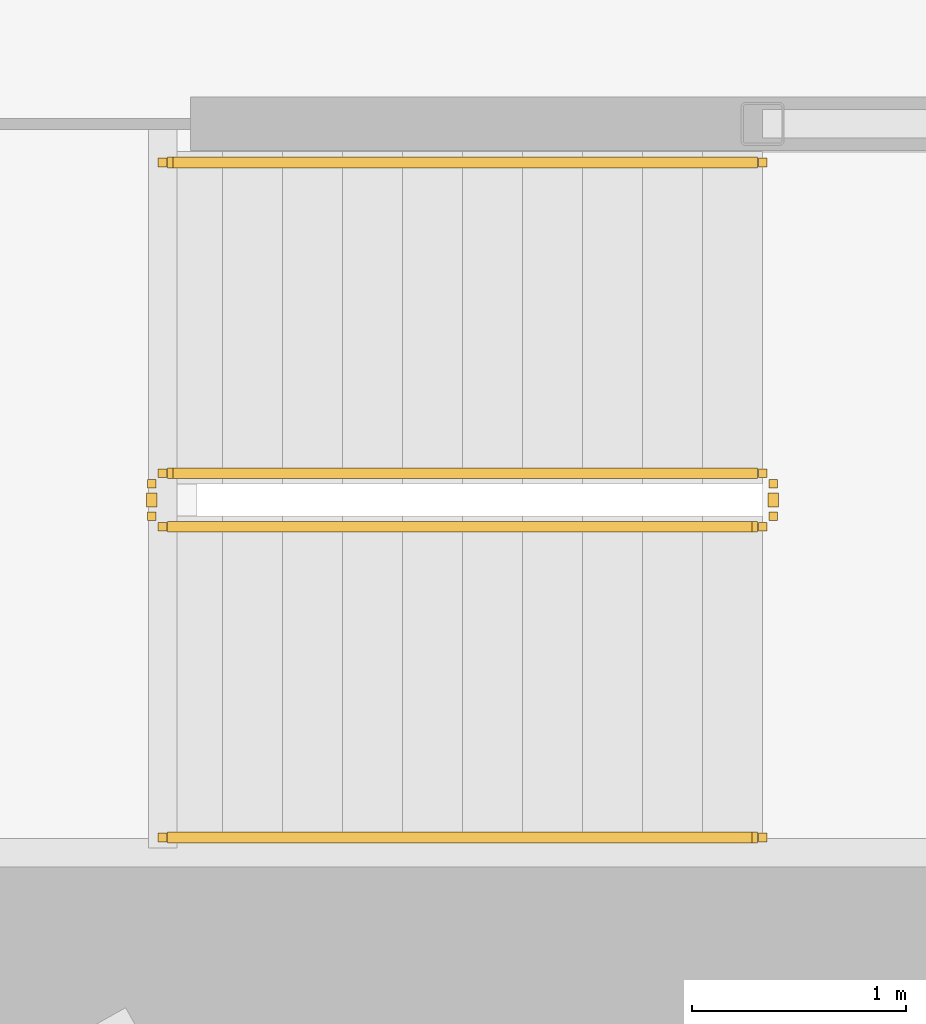
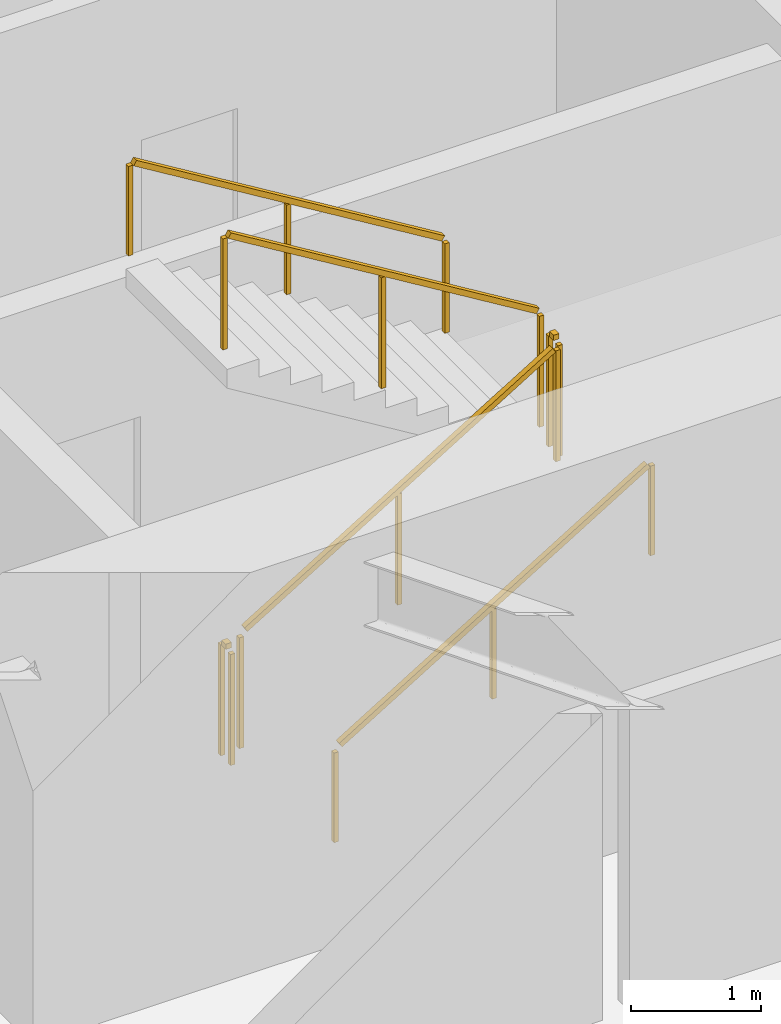
# One storey, part 28 of 31: 6 railings.
"""IFC4 building model written with IfcOpenShell, lengths in metres."""

import ifcopenshell
import ifcopenshell.guid

model = None  # the IFC model being written
_history = None  # IfcOwnerHistory: only IFC2X3 demands one
_inside = {}  # id of a spatial element -> (the spatial element, [elements in it])
_under = {}  # id of a project, library or spatial element -> (it, [spatial elements below it])
_declared = {}  # id of a project -> (the project, [libraries it declares])
_typed = {}  # id of a type object -> (the type object, [elements of that type])
_made_of = {}  # id of a material, layer set ... -> (it, [elements and type objects made of it])


def new_model(schema):
    """Start an empty IFC model of exactly this schema.

    Asked for "IFC4X3", IfcOpenShell would pick the latest addendum, in which some entities
    have other attributes; the version numbers below select the first issue.
    IFC2X3 requires an IfcOwnerHistory on every rooted entity: one is made here for all.
    """
    global model, _history
    if schema == "IFC4X3":
        model = ifcopenshell.file(schema_version=(4, 3, 0, 0))
    else:
        model = ifcopenshell.file(schema=schema)
    _inside.clear()
    _under.clear()
    _declared.clear()
    _typed.clear()
    _made_of.clear()
    _history = None
    if model.schema == "IFC2X3":
        org = make("IfcOrganization", Name="unknown")
        user = make(
            "IfcPersonAndOrganization",
            ThePerson=make("IfcPerson", FamilyName="unknown"),
            TheOrganization=org,
        )
        app = make(
            "IfcApplication",
            ApplicationDeveloper=org,
            Version="unknown",
            ApplicationFullName="unknown",
            ApplicationIdentifier="unknown",
        )
        _history = make(
            "IfcOwnerHistory",
            OwningUser=user,
            OwningApplication=app,
            ChangeAction="ADDED",
            CreationDate=0,
        )
    return model


def make(cls, **values):
    """One entity of the class cls with the attributes given. An attribute that is None is left unset."""
    return model.create_entity(
        cls, **{name: value for name, value in values.items() if value is not None}
    )


def rooted(cls, **values):
    """An entity with a GlobalId (a new one), such as an element, a storey or a relation."""
    return make(cls, GlobalId=ifcopenshell.guid.new(), OwnerHistory=_history, **values)


def si_unit(unit_type, name, prefix=None):
    """IfcSIUnit, for example si_unit("LENGTHUNIT", "METRE", prefix="MILLI")."""
    return make("IfcSIUnit", UnitType=unit_type, Prefix=prefix, Name=name)


def assignment(units):
    """IfcUnitAssignment: the units of a project."""
    return None if units is None else make("IfcUnitAssignment", Units=units)


def point(xyz):
    """IfcCartesianPoint."""
    return None if xyz is None else make("IfcCartesianPoint", Coordinates=xyz)


def direction(xyz):
    """IfcDirection."""
    return None if xyz is None else make("IfcDirection", DirectionRatios=xyz)


def frame(location, z_axis=None, x_axis=None):
    """IfcAxis2Placement3D, a coordinate frame: its origin and axes. An axis left out is left unset."""
    return make(
        "IfcAxis2Placement3D",
        Location=point(location),
        Axis=direction(z_axis),
        RefDirection=direction(x_axis),
    )


def frame_2d(location, x_axis=None):
    """IfcAxis2Placement2D, a coordinate frame in the plane: its origin and x axis."""
    return make(
        "IfcAxis2Placement2D", Location=point(location), RefDirection=direction(x_axis)
    )


def origin():
    """The frame at (0, 0, 0) with its axes left unset."""
    return frame((0.0, 0.0, 0.0))


def origin_2d():
    """The frame at (0, 0) in the plane with its x axis left unset."""
    return frame_2d((0.0, 0.0))


def place(relative_to, where):
    """IfcLocalPlacement: puts the frame where relative to a parent placement (None: the world)."""
    return make(
        "IfcLocalPlacement", PlacementRelTo=relative_to, RelativePlacement=where
    )


def context(
    kind, dimensions, precision=None, world=None, true_north=None, identifier=None
):
    """IfcGeometricRepresentationContext, for example the 3D "Model" context."""
    return make(
        "IfcGeometricRepresentationContext",
        ContextIdentifier=identifier,
        ContextType=kind,
        CoordinateSpaceDimension=dimensions,
        Precision=precision,
        WorldCoordinateSystem=world,
        TrueNorth=true_north,
    )


def subcontext(parent, identifier, kind, view, scale=None):
    """IfcGeometricRepresentationSubContext, for example "Body" below "Model"."""
    return make(
        "IfcGeometricRepresentationSubContext",
        ContextIdentifier=identifier,
        ContextType=kind,
        ParentContext=parent,
        TargetScale=scale,
        TargetView=view,
    )


def project(units=None, contexts=None):
    """IfcProject with its units and contexts."""
    return rooted(
        "IfcProject",
        Name="project",
        RepresentationContexts=contexts,
        UnitsInContext=assignment(units),
    )


def spatial(cls, under=None, at=None, **own):
    """A site, building, storey or space (cls), placed at a placement, below another one or the project."""
    s = rooted(cls, ObjectPlacement=at, **own)
    if under is not None:
        _under.setdefault(under.id(), (under, []))[1].append(s)
    return s


def profile(cls, at=None, kind="AREA", **sizes):
    """A parametric profile (cls). Its sizes go by their IFC names, for example OverallWidth=200.0."""
    return make(cls, ProfileType=kind, Position=at, **sizes)


def rectangle(**sizes):
    """IfcRectangleProfileDef."""
    return profile("IfcRectangleProfileDef", **sizes)


def extrude(swept, where, along, depth):
    """IfcExtrudedAreaSolid: the profile swept, set in the frame where, extruded along a direction by depth."""
    return make(
        "IfcExtrudedAreaSolid",
        SweptArea=swept,
        Position=where,
        ExtrudedDirection=direction(along),
        Depth=depth,
    )


def shape(context_of_items, identifier, shape_type, items):
    """IfcShapeRepresentation: the items that make up one representation, for example the "Body"."""
    return make(
        "IfcShapeRepresentation",
        ContextOfItems=context_of_items,
        RepresentationIdentifier=identifier,
        RepresentationType=shape_type,
        Items=items,
    )


def material(Name=None, Category=None):
    """IfcMaterial."""
    return make("IfcMaterial", Name=Name, Category=Category)


def made_of(thing, what):
    """Note that an element or type object is made of a material, layer set ...; save() writes the relation."""
    if what is not None:
        _made_of.setdefault(what.id(), (what, []))[1].append(thing)
    return thing


def type_object(cls, material=None, **own):
    """A type object (cls), such as IfcWallType, which elements share."""
    return made_of(rooted(cls, **own), material)


def element(
    cls,
    number,
    at=None,
    inside=None,
    cuts=None,
    type_object=None,
    material=None,
    context=None,
    identifier="Body",
    shape_type=None,
    held_by="IfcProductDefinitionShape",
    body=None,
    shapes=None,
    **own,
):
    """One element of the class cls, such as IfcWall. Its Tag is "e" and its number.

    at: its placement. inside: the storey or other place that contains it. cuts: it is an
    opening in that element (IfcRelVoidsElement). A single representation is given by context,
    identifier, shape_type and body (its items); several are given by shapes. held_by: the class
    of the entity that holds the representations. save() writes the other relations.
    """
    e = rooted(cls, Tag="e%d" % number, ObjectPlacement=at, **own)
    if body is not None:
        shapes = [shape(context, identifier, shape_type, body)]
    if shapes is not None:
        e.Representation = make(held_by, Representations=shapes)
    if inside is not None:
        _inside.setdefault(inside.id(), (inside, []))[1].append(e)
    if cuts is not None:
        rooted(
            "IfcRelVoidsElement", RelatingBuildingElement=cuts, RelatedOpeningElement=e
        )
    if type_object is not None:
        _typed.setdefault(type_object.id(), (type_object, []))[1].append(e)
    return made_of(e, material)


def aggregate(whole, parts):
    """IfcRelAggregates: a whole, such as a stair, and the parts it consists of."""
    return rooted("IfcRelAggregates", RelatingObject=whole, RelatedObjects=parts)


def save(model, path):
    """Write the relations noted so far, then the file.

    IfcRelAggregates (storeys below a building ...), IfcRelContainedInSpatialStructure (elements
    in a storey), IfcRelDefinesByType, IfcRelAssociatesMaterial and IfcRelDeclares: one each for
    every whole, place, type object, material and project.
    """
    for whole, parts in _under.values():
        aggregate(whole, parts)
    for where, things in _inside.values():
        rooted(
            "IfcRelContainedInSpatialStructure",
            RelatedElements=things,
            RelatingStructure=where,
        )
    for kind, things in _typed.values():
        rooted("IfcRelDefinesByType", RelatedObjects=things, RelatingType=kind)
    for what, things in _made_of.values():
        rooted("IfcRelAssociatesMaterial", RelatedObjects=things, RelatingMaterial=what)
    for by, libraries in _declared.values():
        rooted("IfcRelDeclares", RelatingContext=by, RelatedDefinitions=libraries)
    model.write(path)


model = new_model("IFC4")

# Units and contexts
model_context = context("Model", 3, precision=1e-05, world=origin(), true_north=direction((0.0, 1.0)))
body_context = subcontext(model_context, "Body", "Model", "MODEL_VIEW")
ifc_project = project(units=[si_unit("LENGTHUNIT", "METRE"), si_unit("AREAUNIT", "SQUARE_METRE"), si_unit("VOLUMEUNIT", "CUBIC_METRE"), si_unit("PLANEANGLEUNIT", "RADIAN"), si_unit("MASSUNIT", "GRAM", prefix="KILO")], contexts=[model_context])

# Site, building, storey
site_placement = place(None, origin())
site = spatial("IfcSite", under=ifc_project, at=site_placement, CompositionType="ELEMENT")
building_placement = place(site_placement, origin())
building = spatial("IfcBuilding", under=site, at=building_placement, Name="Kazma Halo Residences", CompositionType="ELEMENT")
storey_placement = place(building_placement, frame((0.0, 0.0, 33.89990234375)))
storey = spatial("IfcBuildingStorey", under=building, at=storey_placement, Name="L07", CompositionType="ELEMENT", Elevation=33.89990234375)

# Railings
ifc_material_1 = material(Name="Painted Steel S355", Category="steel")
railing_type_1 = type_object("IfcRailingType", Name="RLG-STAIR-GRD-1100", PredefinedType="GUARDRAIL", material=ifc_material_1)
railing_1_placement = place(storey_placement, frame((53.199951171875, 35.5, 0.170654296875)))
element("IfcRailing", 1, at=railing_1_placement, inside=storey, type_object=railing_type_1, Name="L07 ST-03 stair guard 1", PredefinedType="GUARDRAIL", context=body_context, shape_type="SweptSolid", body=[
    extrude(rectangle(XDim=0.050048828125, YDim=0.050048828125, at=origin_2d()), frame((0.036376953125, 0.0, 1.09716796875), z_axis=(0.854202870247, 0.0, 0.519939858505), x_axis=(0.0, 1.0, 0.0)), (0.0, 0.0, 1.0), 3.19287109375),
    extrude(rectangle(XDim=0.0400390625, YDim=0.0400390625, at=origin_2d()), origin(), (0.0, 0.0, 1.0), 1.0380859375),
    extrude(rectangle(XDim=0.0400390625, YDim=0.0400390625, at=origin_2d()), frame((1.39990234375, 0.0, 0.85205078125)), (0.0, 0.0, 1.0), 1.0380859375),
    extrude(rectangle(XDim=0.0400390625, YDim=0.0400390625, at=origin_2d()), frame((2.800048828125, 0.0, 1.704345703125)), (0.0, 0.0, 1.0), 1.0380859375),
])
railing_2_placement = place(storey_placement, frame((56.050048828125, 35.550048828125, 1.875)))
element("IfcRailing", 2, at=railing_2_placement, inside=storey, type_object=railing_type_1, Name="L07 ST-03 stair guard 2", PredefinedType="GUARDRAIL", context=body_context, shape_type="SweptSolid", body=[
    extrude(rectangle(XDim=0.050048828125, YDim=0.050048828125, at=origin_2d()), frame((0.0, 0.04248046875, 1.0751953125), z_axis=(0.0, 1.0, 0.0), x_axis=(-1.0, 0.0, 0.0)), (0.0, 0.0, 1.0), 0.06494140625),
    extrude(rectangle(XDim=0.0400390625, YDim=0.0400390625, at=origin_2d()), origin(), (0.0, 0.0, 1.0), 1.0380859375),
    extrude(rectangle(XDim=0.0400390625, YDim=0.0400390625, at=origin_2d()), frame((0.0, 0.14990234375, 0.0)), (0.0, 0.0, 1.0), 1.0380859375),
])
railing_3_placement = place(storey_placement, frame((56.0, 35.75, 2.045654296875)))
element("IfcRailing", 3, at=railing_3_placement, inside=storey, type_object=railing_type_1, Name="L07 ST-03 stair guard 3", PredefinedType="GUARDRAIL", context=body_context, shape_type="SweptSolid", body=[
    extrude(rectangle(XDim=0.050048828125, YDim=0.050048828125, at=origin_2d()), frame((-0.036376953125, 0.0, 1.09716796875), z_axis=(-0.854202870247, 0.0, 0.519939858505), x_axis=(0.0, -1.0, 0.0)), (0.0, 0.0, 1.0), 3.19287109375),
    extrude(rectangle(XDim=0.0400390625, YDim=0.0400390625, at=origin_2d()), origin(), (0.0, 0.0, 1.0), 1.0380859375),
    extrude(rectangle(XDim=0.0400390625, YDim=0.0400390625, at=origin_2d()), frame((-1.39990234375, 0.0, 0.85205078125)), (0.0, 0.0, 1.0), 1.0380859375),
    extrude(rectangle(XDim=0.0400390625, YDim=0.0400390625, at=origin_2d()), frame((-2.800048828125, 0.0, 1.704345703125)), (0.0, 0.0, 1.0), 1.0380859375),
])
railing_4_placement = place(storey_placement, frame((53.14990234375, 35.550048828125, 0.0)))
element("IfcRailing", 4, at=railing_4_placement, inside=storey, type_object=railing_type_1, Name="L07 ST-03 stair guard 4", PredefinedType="GUARDRAIL", context=body_context, shape_type="SweptSolid", body=[
    extrude(rectangle(XDim=0.050048828125, YDim=0.050048828125, at=origin_2d()), frame((0.0, 0.04248046875, 1.0751953125), z_axis=(0.0, 1.0, 0.0), x_axis=(-1.0, 0.0, 0.0)), (0.0, 0.0, 1.0), 0.06494140625),
    extrude(rectangle(XDim=0.0400390625, YDim=0.0400390625, at=origin_2d()), origin(), (0.0, 0.0, 1.0), 1.0380859375),
    extrude(rectangle(XDim=0.0400390625, YDim=0.0400390625, at=origin_2d()), frame((0.0, 0.14990234375, 0.0)), (0.0, 0.0, 1.0), 1.0380859375),
])
ifc_material_2 = material(Name="Brushed Stainless Steel", Category="steel")
railing_type_2 = type_object("IfcRailingType", Name="RLG-STAIR-HND-900", PredefinedType="HANDRAIL", material=ifc_material_2)
railing_5_placement = place(storey_placement, frame((53.199951171875, 34.050048828125, 0.170654296875)))
element("IfcRailing", 5, at=railing_5_placement, inside=storey, type_object=railing_type_2, Name="L07 ST-03 stair handrail 1", PredefinedType="HANDRAIL", context=body_context, shape_type="SweptSolid", body=[
    extrude(rectangle(XDim=0.050048828125, YDim=0.050048828125, at=origin_2d()), frame((0.036376953125, 0.0, 0.89697265625), z_axis=(0.854202870247, 0.0, 0.519939858505), x_axis=(0.0, 1.0, 0.0)), (0.0, 0.0, 1.0), 3.19287109375),
    extrude(rectangle(XDim=0.0400390625, YDim=0.0400390625, at=origin_2d()), origin(), (0.0, 0.0, 1.0), 0.837890625),
    extrude(rectangle(XDim=0.0400390625, YDim=0.0400390625, at=origin_2d()), frame((1.39990234375, 0.0, 0.85205078125)), (0.0, 0.0, 1.0), 0.837890625),
    extrude(rectangle(XDim=0.0400390625, YDim=0.0400390625, at=origin_2d()), frame((2.800048828125, 0.0, 1.704345703125)), (0.0, 0.0, 1.0), 0.837890625),
])
railing_6_placement = place(storey_placement, frame((56.0, 37.199951171875, 2.045654296875)))
element("IfcRailing", 6, at=railing_6_placement, inside=storey, type_object=railing_type_2, Name="L07 ST-03 stair handrail 2", PredefinedType="HANDRAIL", context=body_context, shape_type="SweptSolid", body=[
    extrude(rectangle(XDim=0.050048828125, YDim=0.050048828125, at=origin_2d()), frame((-0.036376953125, 0.0, 0.89697265625), z_axis=(-0.854202870247, 0.0, 0.519939858505), x_axis=(0.0, -1.0, 0.0)), (0.0, 0.0, 1.0), 3.19287109375),
    extrude(rectangle(XDim=0.0400390625, YDim=0.0400390625, at=origin_2d()), origin(), (0.0, 0.0, 1.0), 0.837890625),
    extrude(rectangle(XDim=0.0400390625, YDim=0.0400390625, at=origin_2d()), frame((-1.39990234375, 0.0, 0.85205078125)), (0.0, 0.0, 1.0), 0.837890625),
    extrude(rectangle(XDim=0.0400390625, YDim=0.0400390625, at=origin_2d()), frame((-2.800048828125, 0.0, 1.704345703125)), (0.0, 0.0, 1.0), 0.837890625),
])

save(model, "model.ifc")
